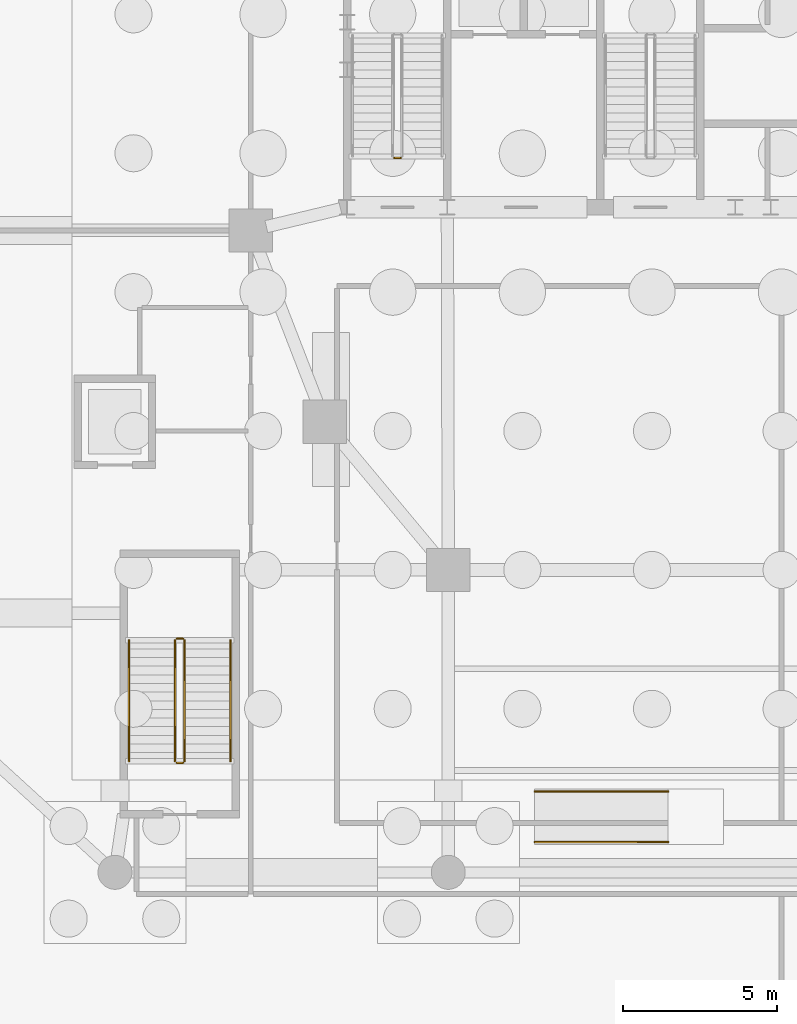
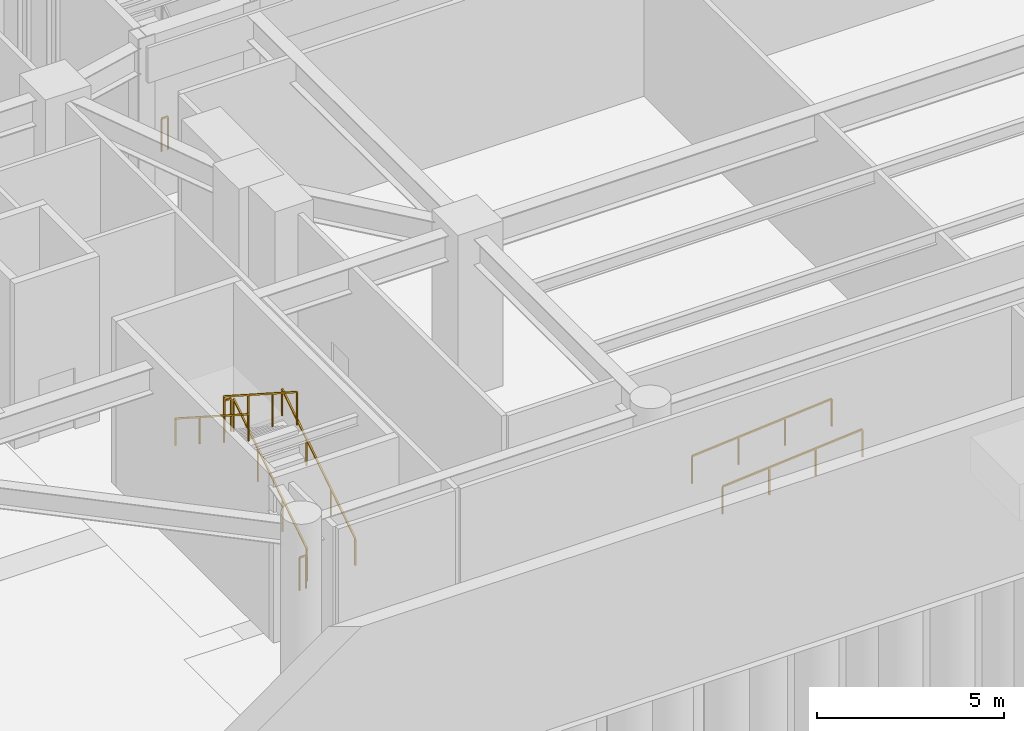
# One storey, part 8 of 11: 9 railings.
"""IFC4 building model written with IfcOpenShell, lengths in metres."""

from ifc_helpers import new_model, si_unit, direction, frame, origin, origin_2d, place, context, subcontext, project, spatial, rectangle, extrude, material, type_object, element, save


model = new_model("IFC4")

# Units and contexts
model_context = context("Model", 3, precision=1e-05, world=origin(), true_north=direction((0.0, 1.0)))
body_context = subcontext(model_context, "Body", "Model", "MODEL_VIEW")
ifc_project = project(units=[si_unit("LENGTHUNIT", "METRE"), si_unit("AREAUNIT", "SQUARE_METRE"), si_unit("VOLUMEUNIT", "CUBIC_METRE"), si_unit("PLANEANGLEUNIT", "RADIAN"), si_unit("MASSUNIT", "GRAM", prefix="KILO")], contexts=[model_context])

# Site, building, storey
site_placement = place(None, origin())
site = spatial("IfcSite", under=ifc_project, at=site_placement, CompositionType="ELEMENT")
building_placement = place(site_placement, origin())
building = spatial("IfcBuilding", under=site, at=building_placement, Name="Haldorwick Loom Tower", CompositionType="ELEMENT")
storey_placement = place(building_placement, frame((0.0, 0.0, -5.39990234375)))
storey = spatial("IfcBuildingStorey", under=building, at=storey_placement, Name="B01", CompositionType="ELEMENT", Elevation=-5.39990234375)

# Railings
ifc_material = material(Name="Steel CSA G40.21 350W", Category="steel")
railing_type_1 = type_object("IfcRailingType", Name="ARC-RLG-GUARD112", PredefinedType="GUARDRAIL", material=ifc_material)
railing_1_placement = place(storey_placement, frame((23.64990234375, 28.35009765625, 0.0)))
element("IfcRailing", 1, at=railing_1_placement, inside=storey, type_object=railing_type_1, Name="B01 ST-01 stair guard 4", PredefinedType="GUARDRAIL", context=body_context, shape_type="SweptSolid", body=[
    extrude(rectangle(XDim=0.048095703125, YDim=0.048095703125, at=origin_2d()), frame((0.0, 0.0, 1.076171875), z_axis=(-1.0, 0.0, 0.0), x_axis=(0.0, -1.0, 0.0)), (0.0, 0.0, 1.0), 0.199951171875),
    extrude(rectangle(XDim=0.0419921875, YDim=0.0419921875, at=origin_2d()), origin(), (0.0, 0.0, 1.0), 1.052001953125),
    extrude(rectangle(XDim=0.0419921875, YDim=0.0419921875, at=origin_2d()), frame((-0.199951171875, 0.0, 0.0)), (0.0, 0.0, 1.0), 1.052001953125),
])
railing_2_placement = place(storey_placement, frame((16.64990234375, 8.800048828125, 0.179931640625)))
element("IfcRailing", 2, at=railing_2_placement, inside=storey, type_object=railing_type_1, Name="B01 ST-P1 stair guard 1", PredefinedType="GUARDRAIL", context=body_context, shape_type="SweptSolid", body=[
    extrude(rectangle(XDim=0.048095703125, YDim=0.048095703125, at=origin_2d()), frame((0.0, 0.0, 1.076171875), z_axis=(0.0, 0.841171666519, 0.540768182723), x_axis=(-1.0, 0.0, 0.0)), (0.0, 0.0, 1.0), 4.66015625),
    extrude(rectangle(XDim=0.0419921875, YDim=0.0419921875, at=origin_2d()), origin(), (0.0, 0.0, 1.0), 1.052001953125),
    extrude(rectangle(XDim=0.0419921875, YDim=0.0419921875, at=origin_2d()), frame((0.0, 1.306640625, 0.840087890625)), (0.0, 0.0, 1.0), 1.052001953125),
    extrude(rectangle(XDim=0.0419921875, YDim=0.0419921875, at=origin_2d()), frame((0.0, 2.61328125, 1.679931640625)), (0.0, 0.0, 1.0), 1.052001953125),
    extrude(rectangle(XDim=0.0419921875, YDim=0.0419921875, at=origin_2d()), frame((0.0, 3.919921875, 2.52001953125)), (0.0, 0.0, 1.0), 1.052001953125),
])
railing_3_placement = place(storey_placement, frame((16.60009765625, 12.77001953125, 2.699951171875)))
element("IfcRailing", 3, at=railing_3_placement, inside=storey, type_object=railing_type_1, Name="B01 ST-P1 stair guard 2", PredefinedType="GUARDRAIL", context=body_context, shape_type="SweptSolid", body=[
    extrude(rectangle(XDim=0.048095703125, YDim=0.048095703125, at=origin_2d()), frame((0.0, 0.0, 1.076171875), z_axis=(-1.0, 0.0, 0.0), x_axis=(0.0, -1.0, 0.0)), (0.0, 0.0, 1.0), 0.2001953125),
    extrude(rectangle(XDim=0.0419921875, YDim=0.0419921875, at=origin_2d()), origin(), (0.0, 0.0, 1.0), 1.052001953125),
    extrude(rectangle(XDim=0.0419921875, YDim=0.0419921875, at=origin_2d()), frame((-0.2001953125, 0.0, 0.0)), (0.0, 0.0, 1.0), 1.052001953125),
])
railing_4_placement = place(storey_placement, frame((16.35009765625, 12.719970703125, 2.8798828125)))
element("IfcRailing", 4, at=railing_4_placement, inside=storey, type_object=railing_type_1, Name="B01 ST-P1 stair guard 3", PredefinedType="GUARDRAIL", context=body_context, shape_type="SweptSolid", body=[
    extrude(rectangle(XDim=0.048095703125, YDim=0.048095703125, at=origin_2d()), frame((0.0, 0.0, 1.076171875), z_axis=(0.0, -0.841171666519, 0.540768182723), x_axis=(1.0, 0.0, 0.0)), (0.0, 0.0, 1.0), 4.66015625),
    extrude(rectangle(XDim=0.0419921875, YDim=0.0419921875, at=origin_2d()), origin(), (0.0, 0.0, 1.0), 1.052001953125),
    extrude(rectangle(XDim=0.0419921875, YDim=0.0419921875, at=origin_2d()), frame((0.0, -1.306640625, 0.840087890625)), (0.0, 0.0, 1.0), 1.052001953125),
    extrude(rectangle(XDim=0.0419921875, YDim=0.0419921875, at=origin_2d()), frame((0.0, -2.61328125, 1.679931640625)), (0.0, 0.0, 1.0), 1.052001953125),
    extrude(rectangle(XDim=0.0419921875, YDim=0.0419921875, at=origin_2d()), frame((0.0, -3.919921875, 2.52001953125)), (0.0, 0.0, 1.0), 1.052001953125),
])
railing_5_placement = place(storey_placement, frame((16.60009765625, 8.75, 0.0)))
element("IfcRailing", 5, at=railing_5_placement, inside=storey, type_object=railing_type_1, Name="B01 ST-P1 stair guard 4", PredefinedType="GUARDRAIL", context=body_context, shape_type="SweptSolid", body=[
    extrude(rectangle(XDim=0.048095703125, YDim=0.048095703125, at=origin_2d()), frame((0.0, 0.0, 1.076171875), z_axis=(-1.0, 0.0, 0.0), x_axis=(0.0, -1.0, 0.0)), (0.0, 0.0, 1.0), 0.2001953125),
    extrude(rectangle(XDim=0.0419921875, YDim=0.0419921875, at=origin_2d()), origin(), (0.0, 0.0, 1.0), 1.052001953125),
    extrude(rectangle(XDim=0.0419921875, YDim=0.0419921875, at=origin_2d()), frame((-0.2001953125, 0.0, 0.0)), (0.0, 0.0, 1.0), 1.052001953125),
])
railing_type_2 = type_object("IfcRailingType", Name="ARC-RLG-HAND092", PredefinedType="HANDRAIL", material=ifc_material)
railing_6_placement = place(storey_placement, frame((18.14990234375, 8.800048828125, 0.179931640625)))
element("IfcRailing", 6, at=railing_6_placement, inside=storey, type_object=railing_type_2, Name="B01 ST-P1 stair handrail 1", PredefinedType="HANDRAIL", context=body_context, shape_type="SweptSolid", body=[
    extrude(rectangle(XDim=0.048095703125, YDim=0.048095703125, at=origin_2d()), frame((0.0, 0.0, 0.8759765625), z_axis=(0.0, 0.841171666519, 0.540768182723), x_axis=(-1.0, 0.0, 0.0)), (0.0, 0.0, 1.0), 4.66015625),
    extrude(rectangle(XDim=0.0419921875, YDim=0.0419921875, at=origin_2d()), origin(), (0.0, 0.0, 1.0), 0.851806640625),
    extrude(rectangle(XDim=0.0419921875, YDim=0.0419921875, at=origin_2d()), frame((0.0, 1.306640625, 0.840087890625)), (0.0, 0.0, 1.0), 0.851806640625),
    extrude(rectangle(XDim=0.0419921875, YDim=0.0419921875, at=origin_2d()), frame((0.0, 2.61328125, 1.679931640625)), (0.0, 0.0, 1.0), 0.851806640625),
    extrude(rectangle(XDim=0.0419921875, YDim=0.0419921875, at=origin_2d()), frame((0.0, 3.919921875, 2.52001953125)), (0.0, 0.0, 1.0), 0.851806640625),
])
railing_7_placement = place(storey_placement, frame((14.85009765625, 12.719970703125, 2.8798828125)))
element("IfcRailing", 7, at=railing_7_placement, inside=storey, type_object=railing_type_2, Name="B01 ST-P1 stair handrail 2", PredefinedType="HANDRAIL", context=body_context, shape_type="SweptSolid", body=[
    extrude(rectangle(XDim=0.048095703125, YDim=0.048095703125, at=origin_2d()), frame((0.0, 0.0, 0.8759765625), z_axis=(0.0, -0.841171666519, 0.540768182723), x_axis=(1.0, 0.0, 0.0)), (0.0, 0.0, 1.0), 4.66015625),
    extrude(rectangle(XDim=0.0419921875, YDim=0.0419921875, at=origin_2d()), origin(), (0.0, 0.0, 1.0), 0.851806640625),
    extrude(rectangle(XDim=0.0419921875, YDim=0.0419921875, at=origin_2d()), frame((0.0, -1.306640625, 0.840087890625)), (0.0, 0.0, 1.0), 0.851806640625),
    extrude(rectangle(XDim=0.0419921875, YDim=0.0419921875, at=origin_2d()), frame((0.0, -2.61328125, 1.679931640625)), (0.0, 0.0, 1.0), 0.851806640625),
    extrude(rectangle(XDim=0.0419921875, YDim=0.0419921875, at=origin_2d()), frame((0.0, -3.919921875, 2.52001953125)), (0.0, 0.0, 1.0), 0.851806640625),
])
for number, where, name in (
    (8, (28.0, 6.179931640625, 0.0), "RMP-05 Ramp Handrail 1"),
    (9, (28.0, 7.820068359375, 0.0), "RMP-05 Ramp Handrail 2"),
):
    element("IfcRailing", number, at=place(storey_placement, frame(where)), inside=storey, type_object=railing_type_2, Name=name, PredefinedType="HANDRAIL", context=body_context, shape_type="SweptSolid", body=[
        extrude(rectangle(XDim=0.048095703125, YDim=0.048095703125, at=origin_2d()), frame((0.0, 0.0, 0.89599609375), z_axis=(0.996548476515, 0.0, 0.083012854161), x_axis=(0.0, 1.0, 0.0)), (0.0, 0.0, 1.0), 4.3349609375),
        extrude(rectangle(XDim=0.0419921875, YDim=0.0419921875, at=origin_2d()), origin(), (0.0, 0.0, 1.0), 0.871826171875),
        extrude(rectangle(XDim=0.0419921875, YDim=0.0419921875, at=origin_2d()), frame((1.43994140625, 0.0, 0.119873046875)), (0.0, 0.0, 1.0), 0.871826171875),
        extrude(rectangle(XDim=0.0419921875, YDim=0.0419921875, at=origin_2d()), frame((2.880126953125, 0.0, 0.239990234375)), (0.0, 0.0, 1.0), 0.871826171875),
        extrude(rectangle(XDim=0.0419921875, YDim=0.0419921875, at=origin_2d()), frame((4.320068359375, 0.0, 0.35986328125)), (0.0, 0.0, 1.0), 0.871826171875),
    ])

save(model, "model.ifc")
